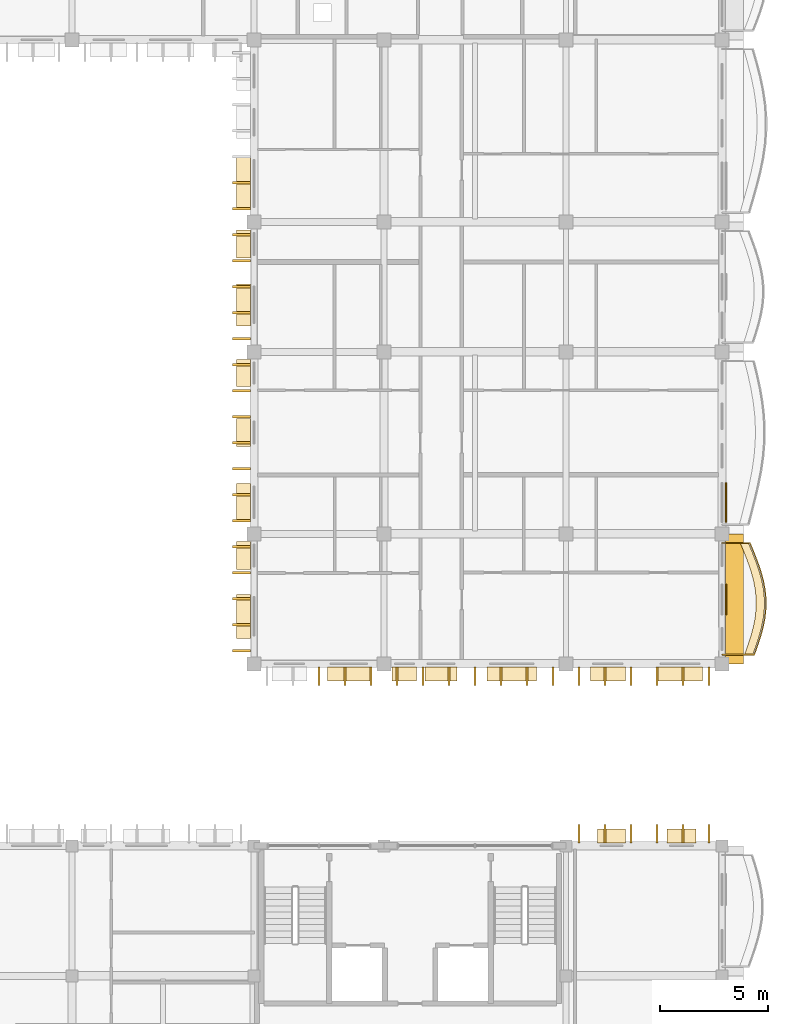
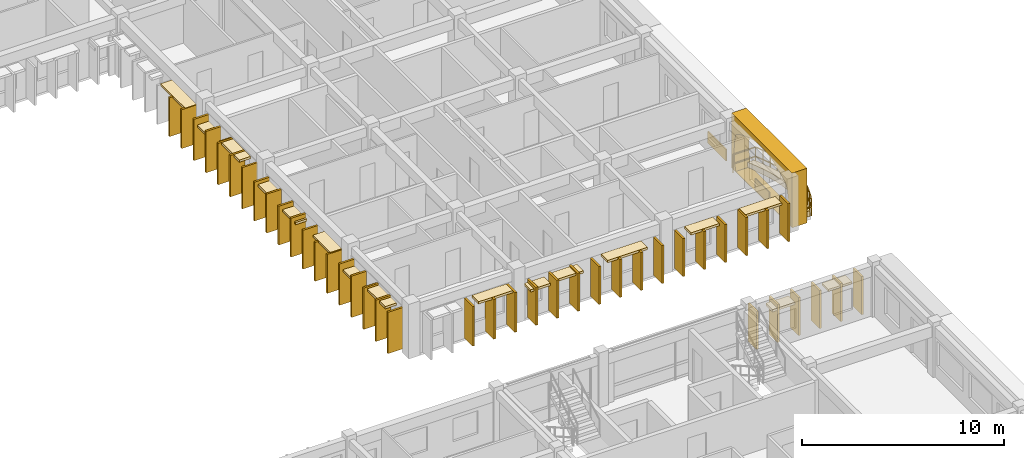
# One storey, part 65 of 70: 61 coverings, 1 railing.
"""IFC4 building model written with IfcOpenShell, lengths in metres."""

from ifc_helpers import new_model, si_unit, direction, frame, origin, origin_2d, place, context, subcontext, project, spatial, polyline, rectangle, outline, extrude, material, layer, layer_set, type_object, element, save


model = new_model("IFC4")

# Units and contexts
model_context = context("Model", 3, precision=1e-05, world=origin(), true_north=direction((0.0, 1.0)))
body_context = subcontext(model_context, "Body", "Model", "MODEL_VIEW")
ifc_project = project(units=[si_unit("LENGTHUNIT", "METRE"), si_unit("AREAUNIT", "SQUARE_METRE"), si_unit("VOLUMEUNIT", "CUBIC_METRE"), si_unit("PLANEANGLEUNIT", "RADIAN"), si_unit("MASSUNIT", "GRAM", prefix="KILO"), si_unit("THERMODYNAMICTEMPERATUREUNIT", "KELVIN")], contexts=[model_context])

# Site, building, storey
site_placement = place(None, origin())
site = spatial("IfcSite", under=ifc_project, at=site_placement, CompositionType="ELEMENT")
building_placement = place(site_placement, origin())
building = spatial("IfcBuilding", under=site, at=building_placement, Name="Thalorik Housing Commons", CompositionType="ELEMENT")
storey_placement = place(building_placement, frame((0.0, 0.0, 14.699951171875)))
storey = spatial("IfcBuildingStorey", under=building, at=storey_placement, Name="L04", CompositionType="ELEMENT", Elevation=14.699951171875)

# Coverings
ifc_material_1 = material(Name="Cobalt blue glazed ceramic facade tile panel", Category="masonry")
ifc_layer_1 = layer(ifc_material_1, 0.06005859375, Name="Cobalt blue glazed ceramic facade tile panel", Category="masonry")
ifc_layer_set_1 = layer_set([ifc_layer_1], Name="Cobalt blue glazed ceramic facade tile panel")
covering_type_1 = type_object("IfcCoveringType", Name="ARC-CLD-BLU-60", PredefinedType="CLADDING", material=ifc_layer_set_1)
covering_1_placement = place(storey_placement, frame((174.1875, 87.85498046875, 0.05029296875), z_axis=(0.0, 0.0, 1.0), x_axis=(0.0, 1.0, 0.0)))
element("IfcCovering", 1, at=covering_1_placement, inside=storey, type_object=covering_type_1, Name="L04 De Stijl Recessed Window Spandrel 2197", PredefinedType="CLADDING", context=body_context, shape_type="SweptSolid", body=[
    extrude(rectangle(XDim=1.820068359375, YDim=0.06005859375, at=origin_2d()), origin(), (0.0, 0.0, 1.0), 0.699951171875),
])
ifc_material_2 = material(Name="Precast concrete C40/50", Category="concrete")
ifc_layer_2 = layer(ifc_material_2, 0.85009765625, Name="Precast concrete C40/50", Category="concrete")
ifc_layer_set_2 = layer_set([ifc_layer_2], Name="Precast concrete C40/50")
covering_type_2 = type_object("IfcCoveringType", Name="ARC-CLD-CUSH-850", PredefinedType="CLADDING", material=ifc_layer_set_2)
covering_2_placement = place(storey_placement, frame((174.577392578125, 83.39990234375, 0.0), z_axis=(0.0, 0.0, 1.0), x_axis=(0.0, 1.0, 0.0)))
element("IfcCovering", 2, at=covering_2_placement, inside=storey, type_object=covering_type_2, Name="L04 White Precast Curved Cushion Bay Frame 2194", PredefinedType="CLADDING", context=body_context, shape_type="SweptSolid", body=[
    extrude(outline(polyline([(-3.0, 0.0), (3.0, 0.0), (3.0, 3.300048828125), (-3.0, 3.300048828125), (-3.0, 0.0)]), holes=[polyline([(2.5634765625, 0.02490234375), (2.655517578125, 0.399169921875), (2.7109375, 0.773193359375), (2.729248046875, 1.1474609375), (2.7109375, 1.521728515625), (2.655517578125, 1.895751953125), (2.5634765625, 2.27001953125), (2.147216796875, 2.50439453125), (1.731201171875, 2.6884765625), (1.31494140625, 2.837646484375), (0.89892578125, 2.948486328125), (0.48291015625, 3.016845703125), (0.066650390625, 3.0400390625), (-0.349365234375, 3.016845703125), (-0.765380859375, 2.948486328125), (-1.181640625, 2.837646484375), (-1.597900390625, 2.6884765625), (-2.013916015625, 2.50439453125), (-2.429931640625, 2.27001953125), (-2.55029296875, 1.895751953125), (-2.62255859375, 1.521728515625), (-2.646484375, 1.1474609375), (-2.62255859375, 0.773193359375), (-2.55029296875, 0.399169921875), (-2.429931640625, 0.02490234375), (2.5634765625, 0.02490234375)])]), frame((0.0, 0.425048828125, 0.0), z_axis=(0.0, -1.0, 0.0), x_axis=(1.0, 0.0, 0.0)), (0.0, 0.0, 1.0), 0.85009765625),
])
ifc_layer_3 = layer(ifc_material_2, 0.85009765625, Name="Precast concrete C40/50", Category="concrete")
ifc_layer_set_3 = layer_set([ifc_layer_3], Name="Precast concrete C40/50")
covering_type_3 = type_object("IfcCoveringType", Name="ARC-CLD-FIN-850", PredefinedType="CLADDING", material=ifc_layer_set_3)
for number, where, z_axis, x_axis, name in (
    (3, (151.822509765625, 102.60009765625, 0.0400390625), (0.0, 0.0, 1.0), (0.0, -1.0, 0.0), "L04 Courtyard Precast Vertical Brise-Soleil Fin 2140"),
    (4, (151.822509765625, 101.39990234375, 0.0400390625), (0.0, 0.0, 1.0), (0.0, -1.0, 0.0), "L04 Courtyard Precast Vertical Brise-Soleil Fin 2141"),
):
    element("IfcCovering", number, at=place(storey_placement, frame(where, z_axis=z_axis, x_axis=x_axis)), inside=storey, type_object=covering_type_3, Name=name, PredefinedType="CLADDING", context=body_context, shape_type="SweptSolid", body=[
        extrude(rectangle(XDim=0.110107421875, YDim=0.85009765625, at=origin_2d()), origin(), (0.0, 0.0, 1.0), 2.344970703125),
    ])
for number, where, z_axis, x_axis, name in (
    (5, (151.822509765625, 100.199951171875, 0.0400390625), (0.0, 0.0, 1.0), (0.0, -1.0, 0.0), "L04 Courtyard Precast Vertical Brise-Soleil Fin 2145"),
    (6, (151.822509765625, 99.0, 0.0400390625), (0.0, 0.0, 1.0), (0.0, -1.0, 0.0), "L04 Courtyard Precast Vertical Brise-Soleil Fin 2146"),
    (7, (151.822509765625, 97.800048828125, 0.0400390625), (0.0, 0.0, 1.0), (0.0, -1.0, 0.0), "L04 Courtyard Precast Vertical Brise-Soleil Fin 2147"),
    (8, (151.822509765625, 96.60009765625, 0.0400390625), (0.0, 0.0, 1.0), (0.0, -1.0, 0.0), "L04 Courtyard Precast Vertical Brise-Soleil Fin 2148"),
    (9, (151.822509765625, 95.39990234375, 0.0400390625), (0.0, 0.0, 1.0), (0.0, -1.0, 0.0), "L04 Courtyard Precast Vertical Brise-Soleil Fin 2149"),
):
    element("IfcCovering", number, at=place(storey_placement, frame(where, z_axis=z_axis, x_axis=x_axis)), inside=storey, type_object=covering_type_3, Name=name, PredefinedType="CLADDING", context=body_context, shape_type="SweptSolid", body=[
        extrude(rectangle(XDim=0.110107421875, YDim=0.85009765625, at=origin_2d()), origin(), (0.0, 0.0, 1.0), 2.4951171875),
    ])
for number, where, z_axis, x_axis, name in (
    (10, (151.822509765625, 94.199951171875, 0.0400390625), (0.0, 0.0, 1.0), (0.0, -1.0, 0.0), "L04 Courtyard Precast Vertical Brise-Soleil Fin 2152"),
    (11, (151.822509765625, 93.0, 0.0400390625), (0.0, 0.0, 1.0), (0.0, -1.0, 0.0), "L04 Courtyard Precast Vertical Brise-Soleil Fin 2153"),
    (12, (151.822509765625, 91.800048828125, 0.0400390625), (0.0, 0.0, 1.0), (0.0, -1.0, 0.0), "L04 Courtyard Precast Vertical Brise-Soleil Fin 2154"),
    (13, (151.822509765625, 90.60009765625, 0.0400390625), (0.0, 0.0, 1.0), (0.0, -1.0, 0.0), "L04 Courtyard Precast Vertical Brise-Soleil Fin 2155"),
    (14, (151.822509765625, 89.39990234375, 0.0400390625), (0.0, 0.0, 1.0), (0.0, -1.0, 0.0), "L04 Courtyard Precast Vertical Brise-Soleil Fin 2156"),
    (15, (151.822509765625, 88.199951171875, 0.0400390625), (0.0, 0.0, 1.0), (0.0, -1.0, 0.0), "L04 Courtyard Precast Vertical Brise-Soleil Fin 2157"),
    (16, (151.822509765625, 87.0, 0.0400390625), (0.0, 0.0, 1.0), (0.0, -1.0, 0.0), "L04 Courtyard Precast Vertical Brise-Soleil Fin 2158"),
):
    element("IfcCovering", number, at=place(storey_placement, frame(where, z_axis=z_axis, x_axis=x_axis)), inside=storey, type_object=covering_type_3, Name=name, PredefinedType="CLADDING", context=body_context, shape_type="SweptSolid", body=[
        extrude(rectangle(XDim=0.110107421875, YDim=0.85009765625, at=origin_2d()), origin(), (0.0, 0.0, 1.0), 2.344970703125),
    ])
for number, where, z_axis, x_axis, name in (
    (17, (151.822509765625, 85.800048828125, 0.0400390625), (0.0, 0.0, 1.0), (0.0, -1.0, 0.0), "L04 Courtyard Precast Vertical Brise-Soleil Fin 2162"),
    (18, (151.822509765625, 84.60009765625, 0.0400390625), (0.0, 0.0, 1.0), (0.0, -1.0, 0.0), "L04 Courtyard Precast Vertical Brise-Soleil Fin 2163"),
    (19, (151.822509765625, 83.39990234375, 0.0400390625), (0.0, 0.0, 1.0), (0.0, -1.0, 0.0), "L04 Courtyard Precast Vertical Brise-Soleil Fin 2164"),
    (20, (151.822509765625, 82.199951171875, 0.0400390625), (0.0, 0.0, 1.0), (0.0, -1.0, 0.0), "L04 Courtyard Precast Vertical Brise-Soleil Fin 2165"),
    (21, (151.822509765625, 81.0, 0.0400390625), (0.0, 0.0, 1.0), (0.0, -1.0, 0.0), "L04 Courtyard Precast Vertical Brise-Soleil Fin 2166"),
):
    element("IfcCovering", number, at=place(storey_placement, frame(where, z_axis=z_axis, x_axis=x_axis)), inside=storey, type_object=covering_type_3, Name=name, PredefinedType="CLADDING", context=body_context, shape_type="SweptSolid", body=[
        extrude(rectangle(XDim=0.110107421875, YDim=0.85009765625, at=origin_2d()), origin(), (0.0, 0.0, 1.0), 2.4951171875),
    ])
for number, where, z_axis, x_axis, name in (
    (22, (155.39990234375, 79.822509765625, 0.0400390625), (0.0, 0.0, 1.0), (1.0, 0.0, 0.0), "L04 Courtyard Precast Vertical Brise-Soleil Fin 2171"),
    (23, (156.60009765625, 79.822509765625, 0.0400390625), (0.0, 0.0, 1.0), (1.0, 0.0, 0.0), "L04 Courtyard Precast Vertical Brise-Soleil Fin 2172"),
    (24, (157.800048828125, 79.822509765625, 0.0400390625), (0.0, 0.0, 1.0), (1.0, 0.0, 0.0), "L04 Courtyard Precast Vertical Brise-Soleil Fin 2173"),
):
    element("IfcCovering", number, at=place(storey_placement, frame(where, z_axis=z_axis, x_axis=x_axis)), inside=storey, type_object=covering_type_3, Name=name, PredefinedType="CLADDING", context=body_context, shape_type="SweptSolid", body=[
        extrude(rectangle(XDim=0.110107421875, YDim=0.85009765625, at=origin_2d()), origin(), (0.0, 0.0, 1.0), 2.39501953125),
    ])
for number, where, z_axis, x_axis, name in (
    (25, (159.0, 79.822509765625, 0.0400390625), (0.0, 0.0, 1.0), (1.0, 0.0, 0.0), "L04 Courtyard Precast Vertical Brise-Soleil Fin 2176"),
    (26, (160.199951171875, 79.822509765625, 0.0400390625), (0.0, 0.0, 1.0), (1.0, 0.0, 0.0), "L04 Courtyard Precast Vertical Brise-Soleil Fin 2177"),
    (27, (161.39990234375, 79.822509765625, 0.0400390625), (0.0, 0.0, 1.0), (1.0, 0.0, 0.0), "L04 Courtyard Precast Vertical Brise-Soleil Fin 2178"),
    (28, (162.60009765625, 79.822509765625, 0.0400390625), (0.0, 0.0, 1.0), (1.0, 0.0, 0.0), "L04 Courtyard Precast Vertical Brise-Soleil Fin 2179"),
    (29, (163.800048828125, 79.822509765625, 0.0400390625), (0.0, 0.0, 1.0), (1.0, 0.0, 0.0), "L04 Courtyard Precast Vertical Brise-Soleil Fin 2180"),
    (30, (165.0, 79.822509765625, 0.0400390625), (0.0, 0.0, 1.0), (1.0, 0.0, 0.0), "L04 Courtyard Precast Vertical Brise-Soleil Fin 2181"),
    (31, (166.199951171875, 79.822509765625, 0.0400390625), (0.0, 0.0, 1.0), (1.0, 0.0, 0.0), "L04 Courtyard Precast Vertical Brise-Soleil Fin 2182"),
    (32, (167.39990234375, 79.822509765625, 0.0400390625), (0.0, 0.0, 1.0), (1.0, 0.0, 0.0), "L04 Courtyard Precast Vertical Brise-Soleil Fin 2186"),
    (33, (168.60009765625, 79.822509765625, 0.0400390625), (0.0, 0.0, 1.0), (1.0, 0.0, 0.0), "L04 Courtyard Precast Vertical Brise-Soleil Fin 2187"),
    (34, (169.800048828125, 79.822509765625, 0.0400390625), (0.0, 0.0, 1.0), (1.0, 0.0, 0.0), "L04 Courtyard Precast Vertical Brise-Soleil Fin 2188"),
    (35, (171.0, 79.822509765625, 0.0400390625), (0.0, 0.0, 1.0), (1.0, 0.0, 0.0), "L04 Courtyard Precast Vertical Brise-Soleil Fin 2189"),
    (36, (172.199951171875, 79.822509765625, 0.0400390625), (0.0, 0.0, 1.0), (1.0, 0.0, 0.0), "L04 Courtyard Precast Vertical Brise-Soleil Fin 2190"),
    (37, (173.39990234375, 79.822509765625, 0.0400390625), (0.0, 0.0, 1.0), (1.0, 0.0, 0.0), "L04 Courtyard Precast Vertical Brise-Soleil Fin 2191"),
    (38, (173.39990234375, 72.5625, 0.0400390625), (0.0, 0.0, 1.0), (-1.0, 0.0, 0.0), "L04 Courtyard Precast Vertical Brise-Soleil Fin 4835"),
    (39, (172.199951171875, 72.5625, 0.0400390625), (0.0, 0.0, 1.0), (-1.0, 0.0, 0.0), "L04 Courtyard Precast Vertical Brise-Soleil Fin 4836"),
    (40, (171.0, 72.5625, 0.0400390625), (0.0, 0.0, 1.0), (-1.0, 0.0, 0.0), "L04 Courtyard Precast Vertical Brise-Soleil Fin 4837"),
    (41, (169.800048828125, 72.5625, 0.0400390625), (0.0, 0.0, 1.0), (-1.0, 0.0, 0.0), "L04 Courtyard Precast Vertical Brise-Soleil Fin 4838"),
    (42, (168.60009765625, 72.5625, 0.0400390625), (0.0, 0.0, 1.0), (-1.0, 0.0, 0.0), "L04 Courtyard Precast Vertical Brise-Soleil Fin 4839"),
    (43, (167.39990234375, 72.5625, 0.0400390625), (0.0, 0.0, 1.0), (-1.0, 0.0, 0.0), "L04 Courtyard Precast Vertical Brise-Soleil Fin 4840"),
):
    element("IfcCovering", number, at=place(storey_placement, frame(where, z_axis=z_axis, x_axis=x_axis)), inside=storey, type_object=covering_type_3, Name=name, PredefinedType="CLADDING", context=body_context, shape_type="SweptSolid", body=[
        extrude(rectangle(XDim=0.110107421875, YDim=0.85009765625, at=origin_2d()), origin(), (0.0, 0.0, 1.0), 2.294921875),
    ])
ifc_layer_4 = layer(ifc_material_2, 0.64990234375, Name="Precast concrete C40/50", Category="concrete")
ifc_layer_set_4 = layer_set([ifc_layer_4], Name="Precast concrete C40/50")
covering_type_4 = type_object("IfcCoveringType", Name="ARC-CLD-HOOD-650", PredefinedType="CLADDING", material=ifc_layer_set_4)
covering_3_placement = place(storey_placement, frame((151.922607421875, 102.56494140625, 2.27490234375), z_axis=(0.0, 0.0, 1.0), x_axis=(0.0, -1.0, 0.0)))
element("IfcCovering", 44, at=covering_3_placement, inside=storey, type_object=covering_type_4, Name="L04 Courtyard Precast Window Sun-Hood 2144", PredefinedType="CLADDING", context=body_context, shape_type="SweptSolid", body=[
    extrude(rectangle(XDim=2.43994140625, YDim=0.64990234375, at=origin_2d()), origin(), (0.0, 0.0, 1.0), 0.139892578125),
])
covering_4_placement = place(storey_placement, frame((151.922607421875, 99.77490234375, 1.990234375), z_axis=(0.0, 0.0, 1.0), x_axis=(0.0, -1.0, 0.0)))
element("IfcCovering", 45, at=covering_4_placement, inside=storey, type_object=covering_type_4, Name="L04 Courtyard Precast Window Sun-Hood 2150", PredefinedType="CLADDING", context=body_context, shape_type="SweptSolid", body=[
    extrude(rectangle(XDim=1.2900390625, YDim=0.64990234375, at=origin_2d()), origin(), (0.0, 0.0, 1.0), 0.139892578125),
])
covering_5_placement = place(storey_placement, frame((151.922607421875, 96.965087890625, 2.39013671875), z_axis=(0.0, 0.0, 1.0), x_axis=(0.0, -1.0, 0.0)))
element("IfcCovering", 46, at=covering_5_placement, inside=storey, type_object=covering_type_4, Name="L04 Courtyard Precast Window Sun-Hood 2151", PredefinedType="CLADDING", context=body_context, shape_type="SweptSolid", body=[
    extrude(rectangle(XDim=1.93994140625, YDim=0.64990234375, at=origin_2d()), origin(), (0.0, 0.0, 1.0), 0.139892578125),
])
covering_6_placement = place(storey_placement, frame((151.922607421875, 93.820068359375, 2.0400390625), z_axis=(0.0, 0.0, 1.0), x_axis=(0.0, -1.0, 0.0)))
element("IfcCovering", 47, at=covering_6_placement, inside=storey, type_object=covering_type_4, Name="L04 Courtyard Precast Window Sun-Hood 2159", PredefinedType="CLADDING", context=body_context, shape_type="SweptSolid", body=[
    extrude(rectangle(XDim=1.239990234375, YDim=0.64990234375, at=origin_2d()), origin(), (0.0, 0.0, 1.0), 0.139892578125),
])
covering_7_placement = place(storey_placement, frame((151.922607421875, 91.074951171875, 1.990234375), z_axis=(0.0, 0.0, 1.0), x_axis=(0.0, -1.0, 0.0)))
element("IfcCovering", 48, at=covering_7_placement, inside=storey, type_object=covering_type_4, Name="L04 Courtyard Precast Window Sun-Hood 2160", PredefinedType="CLADDING", context=body_context, shape_type="SweptSolid", body=[
    extrude(rectangle(XDim=1.2900390625, YDim=0.64990234375, at=origin_2d()), origin(), (0.0, 0.0, 1.0), 0.139892578125),
])
covering_8_placement = place(storey_placement, frame((151.922607421875, 87.85498046875, 2.27490234375), z_axis=(0.0, 0.0, 1.0), x_axis=(0.0, -1.0, 0.0)))
element("IfcCovering", 49, at=covering_8_placement, inside=storey, type_object=covering_type_4, Name="L04 Courtyard Precast Window Sun-Hood 2161", PredefinedType="CLADDING", context=body_context, shape_type="SweptSolid", body=[
    extrude(rectangle(XDim=1.719970703125, YDim=0.64990234375, at=origin_2d()), origin(), (0.0, 0.0, 1.0), 0.139892578125),
])
covering_9_placement = place(storey_placement, frame((151.922607421875, 85.39990234375, 1.990234375), z_axis=(0.0, 0.0, 1.0), x_axis=(0.0, -1.0, 0.0)))
element("IfcCovering", 50, at=covering_9_placement, inside=storey, type_object=covering_type_4, Name="L04 Courtyard Precast Window Sun-Hood 2167", PredefinedType="CLADDING", context=body_context, shape_type="SweptSolid", body=[
    extrude(rectangle(XDim=1.2900390625, YDim=0.64990234375, at=origin_2d()), origin(), (0.0, 0.0, 1.0), 0.139892578125),
])
covering_10_placement = place(storey_placement, frame((151.922607421875, 82.590087890625, 2.2900390625), z_axis=(0.0, 0.0, 1.0), x_axis=(0.0, -1.0, 0.0)))
element("IfcCovering", 51, at=covering_10_placement, inside=storey, type_object=covering_type_4, Name="L04 Courtyard Precast Window Sun-Hood 2168", PredefinedType="CLADDING", context=body_context, shape_type="SweptSolid", body=[
    extrude(rectangle(XDim=2.0400390625, YDim=0.64990234375, at=origin_2d()), origin(), (0.0, 0.0, 1.0), 0.139892578125),
])
covering_11_placement = place(storey_placement, frame((156.77001953125, 79.922607421875, 2.31005859375), z_axis=(0.0, 0.0, 1.0), x_axis=(1.0, 0.0, 0.0)))
element("IfcCovering", 52, at=covering_11_placement, inside=storey, type_object=covering_type_4, Name="L04 Courtyard Precast Window Sun-Hood 2175", PredefinedType="CLADDING", context=body_context, shape_type="SweptSolid", body=[
    extrude(rectangle(XDim=1.9599609375, YDim=0.64990234375, at=origin_2d()), origin(), (0.0, 0.0, 1.0), 0.139892578125),
])
covering_12_placement = place(storey_placement, frame((159.3349609375, 79.922607421875, 1.990234375), z_axis=(0.0, 0.0, 1.0), x_axis=(1.0, 0.0, 0.0)))
element("IfcCovering", 53, at=covering_12_placement, inside=storey, type_object=covering_type_4, Name="L04 Courtyard Precast Window Sun-Hood 2183", PredefinedType="CLADDING", context=body_context, shape_type="SweptSolid", body=[
    extrude(rectangle(XDim=1.139892578125, YDim=0.64990234375, at=origin_2d()), origin(), (0.0, 0.0, 1.0), 0.139892578125),
])
covering_13_placement = place(storey_placement, frame((161.030029296875, 79.922607421875, 2.09033203125), z_axis=(0.0, 0.0, 1.0), x_axis=(1.0, 0.0, 0.0)))
element("IfcCovering", 54, at=covering_13_placement, inside=storey, type_object=covering_type_4, Name="L04 Courtyard Precast Window Sun-Hood 2184", PredefinedType="CLADDING", context=body_context, shape_type="SweptSolid", body=[
    extrude(rectangle(XDim=1.489990234375, YDim=0.64990234375, at=origin_2d()), origin(), (0.0, 0.0, 1.0), 0.139892578125),
])
covering_14_placement = place(storey_placement, frame((164.294921875, 79.922607421875, 2.22509765625), z_axis=(0.0, 0.0, 1.0), x_axis=(1.0, 0.0, 0.0)))
element("IfcCovering", 55, at=covering_14_placement, inside=storey, type_object=covering_type_4, Name="L04 Courtyard Precast Window Sun-Hood 2185", PredefinedType="CLADDING", context=body_context, shape_type="SweptSolid", body=[
    extrude(rectangle(XDim=2.280029296875, YDim=0.64990234375, at=origin_2d()), origin(), (0.0, 0.0, 1.0), 0.139892578125),
])
covering_15_placement = place(storey_placement, frame((168.72998046875, 79.922607421875, 2.22509765625), z_axis=(0.0, 0.0, 1.0), x_axis=(1.0, 0.0, 0.0)))
element("IfcCovering", 56, at=covering_15_placement, inside=storey, type_object=covering_type_4, Name="L04 Courtyard Precast Window Sun-Hood 2192", PredefinedType="CLADDING", context=body_context, shape_type="SweptSolid", body=[
    extrude(rectangle(XDim=1.6201171875, YDim=0.64990234375, at=origin_2d()), origin(), (0.0, 0.0, 1.0), 0.139892578125),
])
covering_16_placement = place(storey_placement, frame((172.070068359375, 79.922607421875, 2.22509765625), z_axis=(0.0, 0.0, 1.0), x_axis=(1.0, 0.0, 0.0)))
element("IfcCovering", 57, at=covering_16_placement, inside=storey, type_object=covering_type_4, Name="L04 Courtyard Precast Window Sun-Hood 2193", PredefinedType="CLADDING", context=body_context, shape_type="SweptSolid", body=[
    extrude(rectangle(XDim=2.06005859375, YDim=0.64990234375, at=origin_2d()), origin(), (0.0, 0.0, 1.0), 0.139892578125),
])
covering_17_placement = place(storey_placement, frame((172.12744140625, 72.46240234375, 2.09033203125), z_axis=(0.0, 0.0, 1.0), x_axis=(-1.0, 0.0, 0.0)))
element("IfcCovering", 58, at=covering_17_placement, inside=storey, type_object=covering_type_4, Name="L04 Courtyard Precast Window Sun-Hood 4841", PredefinedType="CLADDING", context=body_context, shape_type="SweptSolid", body=[
    extrude(rectangle(XDim=1.340087890625, YDim=0.64990234375, at=origin_2d()), origin(), (0.0, 0.0, 1.0), 0.139892578125),
])
covering_18_placement = place(storey_placement, frame((168.902587890625, 72.46240234375, 1.990234375), z_axis=(0.0, 0.0, 1.0), x_axis=(-1.0, 0.0, 0.0)))
element("IfcCovering", 59, at=covering_18_placement, inside=storey, type_object=covering_type_4, Name="L04 Courtyard Precast Window Sun-Hood 4842", PredefinedType="CLADDING", context=body_context, shape_type="SweptSolid", body=[
    extrude(rectangle(XDim=1.2900390625, YDim=0.64990234375, at=origin_2d()), origin(), (0.0, 0.0, 1.0), 0.139892578125),
])
ifc_material_3 = material(Name="Terracotta red mineral fibre-cement panel", Category="masonry")
ifc_layer_5 = layer(ifc_material_3, 0.054931640625, Name="Terracotta red mineral fibre-cement panel", Category="masonry")
ifc_layer_set_5 = layer_set([ifc_layer_5], Name="Terracotta red mineral fibre-cement panel")
covering_type_5 = type_object("IfcCoveringType", Name="ARC-CLD-RED-55", PredefinedType="CLADDING", material=ifc_layer_set_5)
covering_19_placement = place(storey_placement, frame((174.18505859375, 83.368408203125, 0.05029296875), z_axis=(0.0, 0.0, 1.0), x_axis=(0.0, 1.0, 0.0)))
element("IfcCovering", 60, at=covering_19_placement, inside=storey, type_object=covering_type_5, Name="L04 De Stijl Recessed Window Spandrel 2195", PredefinedType="CLADDING", context=body_context, shape_type="SweptSolid", body=[
    extrude(rectangle(XDim=1.39990234375, YDim=0.054931640625, at=origin_2d()), origin(), (0.0, 0.0, 1.0), 0.699951171875),
])
ifc_material_4 = material(Name="Planted vegetated substrate and terracotta trough", Category="masonry")
ifc_layer_6 = layer(ifc_material_4, 0.340087890625, Name="Planted vegetated substrate and terracotta trough", Category="masonry")
ifc_layer_set_6 = layer_set([ifc_layer_6], Name="Planted vegetated substrate and terracotta trough")
covering_type_6 = type_object("IfcCoveringType", Name="ARC-COV-PLANTER", PredefinedType="USERDEFINED", material=ifc_layer_set_6)
covering_20_placement = place(storey_placement, origin())
element("IfcCovering", 61, at=covering_20_placement, inside=storey, type_object=covering_type_6, Name="L04 Balcony Slab-Edge Planted Trough 5464", ObjectType="PLANTER", PredefinedType="USERDEFINED", context=body_context, shape_type="SweptSolid", body=[
    extrude(outline(polyline([(175.417724609375, 80.820068359375), (175.572998046875, 81.25), (175.71337890625, 81.679931640625), (175.828857421875, 82.110107421875), (175.91162109375, 82.5400390625), (175.955322265625, 82.969970703125), (175.95654296875, 83.39990234375), (175.914306640625, 83.830078125), (175.8310546875, 84.260009765625), (175.711669921875, 84.68994140625), (175.563232421875, 85.1201171875), (175.395751953125, 85.550048828125), (175.219482421875, 85.97998046875), (174.83935546875, 85.97998046875), (175.015625, 85.550048828125), (175.183349609375, 85.1201171875), (175.33154296875, 84.68994140625), (175.451171875, 84.260009765625), (175.534423828125, 83.830078125), (175.576416015625, 83.39990234375), (175.575439453125, 82.969970703125), (175.53173828125, 82.5400390625), (175.448974609375, 82.110107421875), (175.333251953125, 81.679931640625), (175.193115234375, 81.25), (175.037841796875, 80.820068359375), (175.417724609375, 80.820068359375)])), origin(), (0.0, 0.0, 1.0), 0.340087890625),
])

# Railing
ifc_material_5 = material(Name="Steel S355", Category="steel")
railing_type = type_object("IfcRailingType", Name="ARC-RL-BAL-112", PredefinedType="BALUSTRADE", material=ifc_material_5)
railing_placement = place(storey_placement, frame((174.0, 80.820068359375, 0.0)))
element("IfcRailing", 62, at=railing_placement, inside=storey, type_object=railing_type, Name="L04 Cushion Balcony Guardrail 148", PredefinedType="BALUSTRADE", context=body_context, shape_type="SweptSolid", body=[
    extrude(rectangle(XDim=0.050048828125, YDim=0.050048828125, at=origin_2d()), frame((0.0, 0.0, 1.09521484375), z_axis=(1.0, 0.0, 0.0), x_axis=(0.0, 1.0, 0.0)), (0.0, 0.0, 1.0), 1.48779296875),
    extrude(rectangle(XDim=0.050048828125, YDim=0.050048828125, at=origin_2d()), frame((0.0, 0.0, 0.53515625), z_axis=(1.0, 0.0, 0.0), x_axis=(0.0, 1.0, 0.0)), (0.0, 0.0, 1.0), 1.48779296875),
    extrude(rectangle(XDim=0.050048828125, YDim=0.050048828125, at=origin_2d()), frame((1.48779296875, 0.0, 1.09521484375), z_axis=(0.339683836969, 0.940539680663, 0.0), x_axis=(-0.940539680663, 0.339683836969, 0.0)), (0.0, 0.0, 1.0), 0.45703125),
    extrude(rectangle(XDim=0.050048828125, YDim=0.050048828125, at=origin_2d()), frame((1.48779296875, 0.0, 0.53515625), z_axis=(0.339683836969, 0.940539680663, 0.0), x_axis=(-0.940539680663, 0.339683836969, 0.0)), (0.0, 0.0, 1.0), 0.45703125),
    extrude(rectangle(XDim=0.050048828125, YDim=0.050048828125, at=origin_2d()), frame((1.64306640625, 0.429931640625, 1.09521484375), z_axis=(0.30990389927, 0.950767886088, 0.0), x_axis=(-0.950767886088, 0.30990389927, 0.0)), (0.0, 0.0, 1.0), 0.4521484375),
    extrude(rectangle(XDim=0.050048828125, YDim=0.050048828125, at=origin_2d()), frame((1.64306640625, 0.429931640625, 0.53515625), z_axis=(0.30990389927, 0.950767886088, 0.0), x_axis=(-0.950767886088, 0.30990389927, 0.0)), (0.0, 0.0, 1.0), 0.4521484375),
    extrude(rectangle(XDim=0.050048828125, YDim=0.050048828125, at=origin_2d()), frame((1.783203125, 0.85986328125, 1.09521484375), z_axis=(0.259776925067, 0.96566865394, 0.0), x_axis=(-0.96566865394, 0.259776925067, 0.0)), (0.0, 0.0, 1.0), 0.445556640625),
    extrude(rectangle(XDim=0.050048828125, YDim=0.050048828125, at=origin_2d()), frame((1.783203125, 0.85986328125, 0.53515625), z_axis=(0.259776925067, 0.96566865394, 0.0), x_axis=(-0.96566865394, 0.259776925067, 0.0)), (0.0, 0.0, 1.0), 0.445556640625),
    extrude(rectangle(XDim=0.050048828125, YDim=0.050048828125, at=origin_2d()), frame((1.89892578125, 1.2900390625, 1.09521484375), z_axis=(0.189033529089, 0.98197063341, 0.0), x_axis=(-0.98197063341, 0.189033529089, 0.0)), (0.0, 0.0, 1.0), 0.437744140625),
    extrude(rectangle(XDim=0.050048828125, YDim=0.050048828125, at=origin_2d()), frame((1.89892578125, 1.2900390625, 0.53515625), z_axis=(0.189033529089, 0.98197063341, 0.0), x_axis=(-0.98197063341, 0.189033529089, 0.0)), (0.0, 0.0, 1.0), 0.437744140625),
    extrude(rectangle(XDim=0.050048828125, YDim=0.050048828125, at=origin_2d()), frame((1.981689453125, 1.719970703125, 1.09521484375), z_axis=(0.101125715091, 0.994873655168, 0.0), x_axis=(-0.994873655168, 0.101125715091, 0.0)), (0.0, 0.0, 1.0), 0.43212890625),
    extrude(rectangle(XDim=0.050048828125, YDim=0.050048828125, at=origin_2d()), frame((1.981689453125, 1.719970703125, 0.53515625), z_axis=(0.101125715091, 0.994873655168, 0.0), x_axis=(-0.994873655168, 0.101125715091, 0.0)), (0.0, 0.0, 1.0), 0.43212890625),
    extrude(rectangle(XDim=0.050048828125, YDim=0.050048828125, at=origin_2d()), frame((2.025390625, 2.14990234375, 1.09521484375), z_axis=(0.00283928441, 0.999995969224, 0.0), x_axis=(-0.999995969224, 0.00283928441, 0.0)), (0.0, 0.0, 1.0), 0.429931640625),
    extrude(rectangle(XDim=0.050048828125, YDim=0.050048828125, at=origin_2d()), frame((2.025390625, 2.14990234375, 0.53515625), z_axis=(0.00283928441, 0.999995969224, 0.0), x_axis=(-0.999995969224, 0.00283928441, 0.0)), (0.0, 0.0, 1.0), 0.429931640625),
    extrude(rectangle(XDim=0.050048828125, YDim=0.050048828125, at=origin_2d()), frame((2.026611328125, 2.579833984375, 1.09521484375), z_axis=(-0.097714026342, 0.995214534187, 0.0), x_axis=(-0.995214534187, -0.097714026342, 0.0)), (0.0, 0.0, 1.0), 0.43212890625),
    extrude(rectangle(XDim=0.050048828125, YDim=0.050048828125, at=origin_2d()), frame((2.026611328125, 2.579833984375, 0.53515625), z_axis=(-0.097714026342, 0.995214534187, 0.0), x_axis=(-0.995214534187, -0.097714026342, 0.0)), (0.0, 0.0, 1.0), 0.43212890625),
    extrude(rectangle(XDim=0.050048828125, YDim=0.050048828125, at=origin_2d()), frame((1.984375, 3.010009765625, 1.09521484375), z_axis=(-0.190108578835, 0.981763071343, 0.0), x_axis=(-0.981763071343, -0.190108578835, 0.0)), (0.0, 0.0, 1.0), 0.43798828125),
    extrude(rectangle(XDim=0.050048828125, YDim=0.050048828125, at=origin_2d()), frame((1.984375, 3.010009765625, 0.53515625), z_axis=(-0.190108578835, 0.981763071343, 0.0), x_axis=(-0.981763071343, -0.190108578835, 0.0)), (0.0, 0.0, 1.0), 0.43798828125),
    extrude(rectangle(XDim=0.050048828125, YDim=0.050048828125, at=origin_2d()), frame((1.901123046875, 3.43994140625, 1.09521484375), z_axis=(-0.26806707702, 0.963400250269, 0.0), x_axis=(-0.963400250269, -0.26806707702, 0.0)), (0.0, 0.0, 1.0), 0.4462890625),
    extrude(rectangle(XDim=0.050048828125, YDim=0.050048828125, at=origin_2d()), frame((1.901123046875, 3.43994140625, 0.53515625), z_axis=(-0.26806707702, 0.963400250269, 0.0), x_axis=(-0.963400250269, -0.26806707702, 0.0)), (0.0, 0.0, 1.0), 0.4462890625),
    extrude(rectangle(XDim=0.050048828125, YDim=0.050048828125, at=origin_2d()), frame((1.781494140625, 3.869873046875, 1.09521484375), z_axis=(-0.325709544151, 0.945469879398, 0.0), x_axis=(-0.945469879398, -0.325709544151, 0.0)), (0.0, 0.0, 1.0), 0.455078125),
    extrude(rectangle(XDim=0.050048828125, YDim=0.050048828125, at=origin_2d()), frame((1.781494140625, 3.869873046875, 0.53515625), z_axis=(-0.325709544151, 0.945469879398, 0.0), x_axis=(-0.945469879398, -0.325709544151, 0.0)), (0.0, 0.0, 1.0), 0.455078125),
    extrude(rectangle(XDim=0.050048828125, YDim=0.050048828125, at=origin_2d()), frame((1.63330078125, 4.300048828125, 1.09521484375), z_axis=(-0.362982422944, 0.931795986595, 0.0), x_axis=(-0.931795986595, -0.362982422944, 0.0)), (0.0, 0.0, 1.0), 0.46142578125),
    extrude(rectangle(XDim=0.050048828125, YDim=0.050048828125, at=origin_2d()), frame((1.63330078125, 4.300048828125, 0.53515625), z_axis=(-0.362982422944, 0.931795986595, 0.0), x_axis=(-0.931795986595, -0.362982422944, 0.0)), (0.0, 0.0, 1.0), 0.46142578125),
    extrude(rectangle(XDim=0.050048828125, YDim=0.050048828125, at=origin_2d()), frame((1.4658203125, 4.72998046875, 1.09521484375), z_axis=(-0.379798452502, 0.925069259827, 0.0), x_axis=(-0.925069259827, -0.379798452502, 0.0)), (0.0, 0.0, 1.0), 0.46484375),
    extrude(rectangle(XDim=0.050048828125, YDim=0.050048828125, at=origin_2d()), frame((1.4658203125, 4.72998046875, 0.53515625), z_axis=(-0.379798452502, 0.925069259827, 0.0), x_axis=(-0.925069259827, -0.379798452502, 0.0)), (0.0, 0.0, 1.0), 0.46484375),
    extrude(rectangle(XDim=0.050048828125, YDim=0.050048828125, at=origin_2d()), frame((1.289306640625, 5.159912109375, 1.09521484375), z_axis=(-1.0, 0.0, 0.0), x_axis=(0.0, -1.0, 0.0)), (0.0, 0.0, 1.0), 1.289306640625),
    extrude(rectangle(XDim=0.050048828125, YDim=0.050048828125, at=origin_2d()), frame((1.289306640625, 5.159912109375, 0.53515625), z_axis=(-1.0, 0.0, 0.0), x_axis=(0.0, -1.0, 0.0)), (0.0, 0.0, 1.0), 1.289306640625),
    extrude(rectangle(XDim=0.0419921875, YDim=0.0419921875, at=origin_2d()), origin(), (0.0, 0.0, 1.0), 1.070068359375),
    extrude(rectangle(XDim=0.0419921875, YDim=0.0419921875, at=origin_2d()), frame((1.48779296875, 0.0, 0.0)), (0.0, 0.0, 1.0), 1.070068359375),
    extrude(rectangle(XDim=0.0419921875, YDim=0.0419921875, at=origin_2d()), frame((1.64306640625, 0.429931640625, 0.0)), (0.0, 0.0, 1.0), 1.070068359375),
    extrude(rectangle(XDim=0.0419921875, YDim=0.0419921875, at=origin_2d()), frame((1.783203125, 0.85986328125, 0.0)), (0.0, 0.0, 1.0), 1.070068359375),
    extrude(rectangle(XDim=0.0419921875, YDim=0.0419921875, at=origin_2d()), frame((1.89892578125, 1.2900390625, 0.0)), (0.0, 0.0, 1.0), 1.070068359375),
    extrude(rectangle(XDim=0.0419921875, YDim=0.0419921875, at=origin_2d()), frame((1.981689453125, 1.719970703125, 0.0)), (0.0, 0.0, 1.0), 1.070068359375),
    extrude(rectangle(XDim=0.0419921875, YDim=0.0419921875, at=origin_2d()), frame((2.025390625, 2.14990234375, 0.0)), (0.0, 0.0, 1.0), 1.070068359375),
    extrude(rectangle(XDim=0.0419921875, YDim=0.0419921875, at=origin_2d()), frame((2.026611328125, 2.579833984375, 0.0)), (0.0, 0.0, 1.0), 1.070068359375),
    extrude(rectangle(XDim=0.0419921875, YDim=0.0419921875, at=origin_2d()), frame((1.984375, 3.010009765625, 0.0)), (0.0, 0.0, 1.0), 1.070068359375),
    extrude(rectangle(XDim=0.0419921875, YDim=0.0419921875, at=origin_2d()), frame((1.901123046875, 3.43994140625, 0.0)), (0.0, 0.0, 1.0), 1.070068359375),
    extrude(rectangle(XDim=0.0419921875, YDim=0.0419921875, at=origin_2d()), frame((1.781494140625, 3.869873046875, 0.0)), (0.0, 0.0, 1.0), 1.070068359375),
    extrude(rectangle(XDim=0.0419921875, YDim=0.0419921875, at=origin_2d()), frame((1.63330078125, 4.300048828125, 0.0)), (0.0, 0.0, 1.0), 1.070068359375),
    extrude(rectangle(XDim=0.0419921875, YDim=0.0419921875, at=origin_2d()), frame((1.4658203125, 4.72998046875, 0.0)), (0.0, 0.0, 1.0), 1.070068359375),
    extrude(rectangle(XDim=0.0419921875, YDim=0.0419921875, at=origin_2d()), frame((1.289306640625, 5.159912109375, 0.0)), (0.0, 0.0, 1.0), 1.070068359375),
    extrude(rectangle(XDim=0.0419921875, YDim=0.0419921875, at=origin_2d()), frame((0.0, 5.159912109375, 0.0)), (0.0, 0.0, 1.0), 1.070068359375),
])

save(model, "model.ifc")
